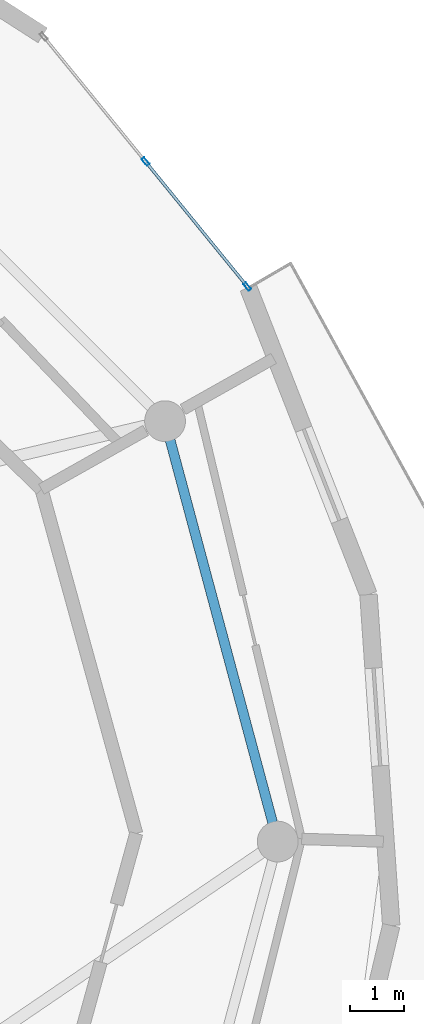
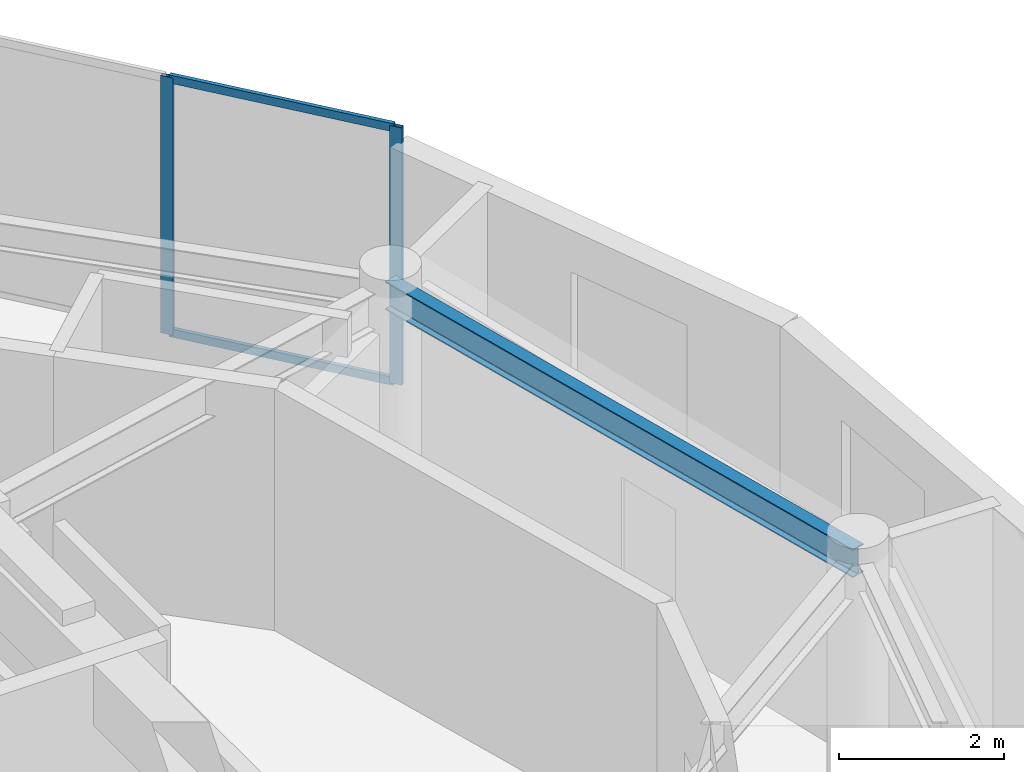
# One storey, part 12 of 22: 4 members, 1 beam, 1 element without a shape of its own.
"""IFC4 building model written with IfcOpenShell, lengths in metres."""

from ifc_helpers import new_model, si_unit, direction, frame, origin, origin_2d, place, context, subcontext, project, spatial, hollow_rectangle, i_section, extrude, source, transform, mapped, material, layer, layer_set, material_profile, profile_set, type_object, element, aggregate, save


model = new_model("IFC4")

# Units and contexts
model_context = context("Model", 3, precision=1e-05, world=origin(), true_north=direction((0.0, 1.0)))
body_context = subcontext(model_context, "Body", "Model", "MODEL_VIEW")
ifc_project = project(units=[si_unit("LENGTHUNIT", "METRE"), si_unit("AREAUNIT", "SQUARE_METRE"), si_unit("VOLUMEUNIT", "CUBIC_METRE"), si_unit("PLANEANGLEUNIT", "RADIAN"), si_unit("MASSUNIT", "GRAM", prefix="KILO")], contexts=[model_context])

# Site, building, storey
site_placement = place(None, origin())
site = spatial("IfcSite", under=ifc_project, at=site_placement, CompositionType="ELEMENT")
building_placement = place(site_placement, origin())
building = spatial("IfcBuilding", under=site, at=building_placement, Name="Solvirekh Grand Hotel", CompositionType="ELEMENT")
storey_placement = place(building_placement, frame((0.0, 0.0, 293.39990234375)))
storey = spatial("IfcBuildingStorey", under=building, at=storey_placement, Name="L76", CompositionType="ELEMENT", Elevation=293.39990234375)

# Beam
ifc_material_1 = material(Name="Steel S355", Category="steel")
ifc_material_profile_1 = material_profile(ifc_material_1, i_section(OverallWidth=0.180908203125, OverallDepth=0.4169921875, WebThickness=0.010009765625, FlangeThickness=0.01611328125, FilletRadius=0.011962890625, at=origin_2d()), Name="W410X85")
ifc_profile_set_1 = profile_set([ifc_material_profile_1], Name="Steel S355")
beam_type = type_object("IfcBeamType", Name="Spandrel_Ring_W410", PredefinedType="SPANDREL", material=ifc_profile_set_1)
beam_placement = place(storey_placement, frame((15.449951171875, 0.0, 3.362060546875), z_axis=(-0.258834757072, 0.965921616143, 0.0), x_axis=(-0.965921616143, -0.258834757072, 0.0)))
element("IfcBeam", 1, at=beam_placement, inside=storey, type_object=beam_type, Name="L76 perimeter spandrel beam 1", PredefinedType="SPANDREL", context=body_context, shape_type="SweptSolid", body=[
    extrude(i_section(OverallWidth=0.180908203125, OverallDepth=0.4169921875, WebThickness=0.010009765625, FlangeThickness=0.01611328125, FilletRadius=0.011962890625, at=origin_2d()), origin(), (0.0, 0.0, 1.0), 7.99755859375),
])

# Curtain wall, members
ifc_material_2 = material(Name="Anodized Bronze Aluminium 6063-T6", Category="aluminium")
ifc_layer = layer(ifc_material_2, 0.159912109375)
ifc_layer_set = layer_set([ifc_layer], Name="Anodized Bronze Aluminium 6063-T6")
curtain_wall_type = type_object("IfcCurtainWallType", Name="CW_Sys4_HighZoneFlushBronzeCW", PredefinedType="NOTDEFINED", material=ifc_layer_set)
curtain_wall_placement = place(storey_placement, origin())
curtain_wall = element("IfcCurtainWall", 2, at=curtain_wall_placement, inside=storey, type_object=curtain_wall_type, Name="L76 unitised bronze-glass curtain wall CW-L76-C08", PredefinedType="NOTDEFINED")
ifc_material_profile_2 = material_profile(ifc_material_2, hollow_rectangle(XDim=0.06005859375, YDim=0.159912109375, WallThickness=0.0048828125, at=origin_2d()), Name="ALU RHS 160X60X5")
ifc_profile_set_2 = profile_set([ifc_material_profile_2], Name="Anodized Bronze Aluminium 6063-T6")
member_type_1 = type_object("IfcMemberType", Name="CWMullion_Sys4", PredefinedType="MULLION", material=ifc_profile_set_2)
shared_shape_1 = source(origin(), body_context, "Body", "SweptSolid", [
    extrude(hollow_rectangle(XDim=0.06005859375, YDim=0.159912109375, WallThickness=0.0048828125, at=origin_2d()), origin(), (0.0, 0.0, 1.0), 3.800048828125),
])
member_1_placement = place(storey_placement, frame((14.89208984375, 10.1982421875, 0.0), z_axis=(0.0, 0.0, 1.0), x_axis=(-0.775377413326, -0.631498113143, 0.0)))
member_1 = element("IfcMember", 3, at=member_1_placement, type_object=member_type_1, Name="U04 mullion 1", PredefinedType="MULLION", context=body_context, shape_type="MappedRepresentation", body=[
    mapped(shared_shape_1, transform((0.0, 0.0, 0.0), x_axis=(1.0, 0.0, 0.0), y_axis=(0.0, 1.0, 0.0), z_axis=(0.0, 0.0, 1.0), scale=1.0)),
])
member_2_placement = place(storey_placement, frame((13.021484375, 12.4951171875, 0.0), z_axis=(0.0, 0.0, 1.0), x_axis=(-0.775377413326, -0.631498113143, 0.0)))
member_2 = element("IfcMember", 4, at=member_2_placement, type_object=member_type_1, Name="U04 mullion 2", PredefinedType="MULLION", context=body_context, shape_type="MappedRepresentation", body=[
    mapped(shared_shape_1, transform((0.0, 0.0, 0.0), x_axis=(1.0, 0.0, 0.0), y_axis=(0.0, 1.0, 0.0), z_axis=(0.0, 0.0, 1.0), scale=1.0)),
])
ifc_material_profile_3 = material_profile(ifc_material_2, hollow_rectangle(XDim=0.054931640625, YDim=0.1201171875, WallThickness=0.00390625, at=origin_2d()), Name="ALU RHS 120X55X4")
ifc_profile_set_3 = profile_set([ifc_material_profile_3], Name="Anodized Bronze Aluminium 6063-T6")
member_type_2 = type_object("IfcMemberType", Name="CWTransom_Sys4", PredefinedType="USERDEFINED", material=ifc_profile_set_3)
shared_shape_2 = source(origin(), body_context, "Body", "SweptSolid", [
    extrude(hollow_rectangle(XDim=0.054931640625, YDim=0.1201171875, WallThickness=0.00390625, at=origin_2d()), origin(), (0.0, 0.0, 1.0), 2.902099609375),
])
member_3_placement = place(storey_placement, frame((14.873046875, 10.221435546875, 0.027587890625), z_axis=(-0.631463198088, 0.775405848225, 0.0), x_axis=(-0.775405848225, -0.631463198088, 0.0)))
member_3 = element("IfcMember", 5, at=member_3_placement, type_object=member_type_2, Name="U04 transom 1.1", ObjectType="TRANSOM", PredefinedType="USERDEFINED", context=body_context, shape_type="MappedRepresentation", body=[
    mapped(shared_shape_2, transform((0.0, 0.0, 0.0), x_axis=(1.0, 0.0, 0.0), y_axis=(0.0, 1.0, 0.0), z_axis=(0.0, 0.0, 1.0), scale=1.0)),
])
member_4_placement = place(storey_placement, frame((14.873046875, 10.221435546875, 3.772705078125), z_axis=(-0.631463198088, 0.775405848225, 0.0), x_axis=(-0.775405848225, -0.631463198088, 0.0)))
member_4 = element("IfcMember", 6, at=member_4_placement, type_object=member_type_2, Name="U04 transom 1.2", ObjectType="TRANSOM", PredefinedType="USERDEFINED", context=body_context, shape_type="MappedRepresentation", body=[
    mapped(shared_shape_2, transform((0.0, 0.0, 0.0), x_axis=(1.0, 0.0, 0.0), y_axis=(0.0, 1.0, 0.0), z_axis=(0.0, 0.0, 1.0), scale=1.0)),
])
aggregate(curtain_wall, [member_1, member_2, member_3, member_4])

save(model, "model.ifc")
